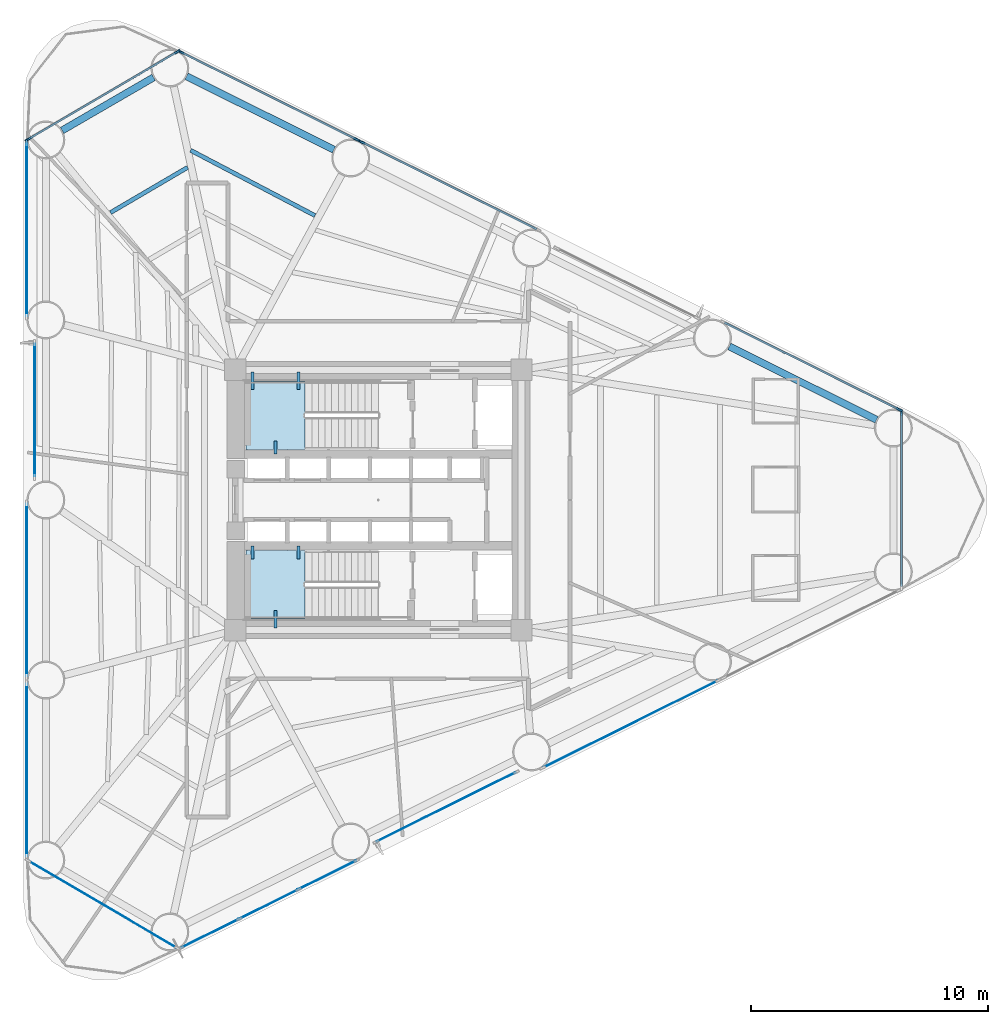
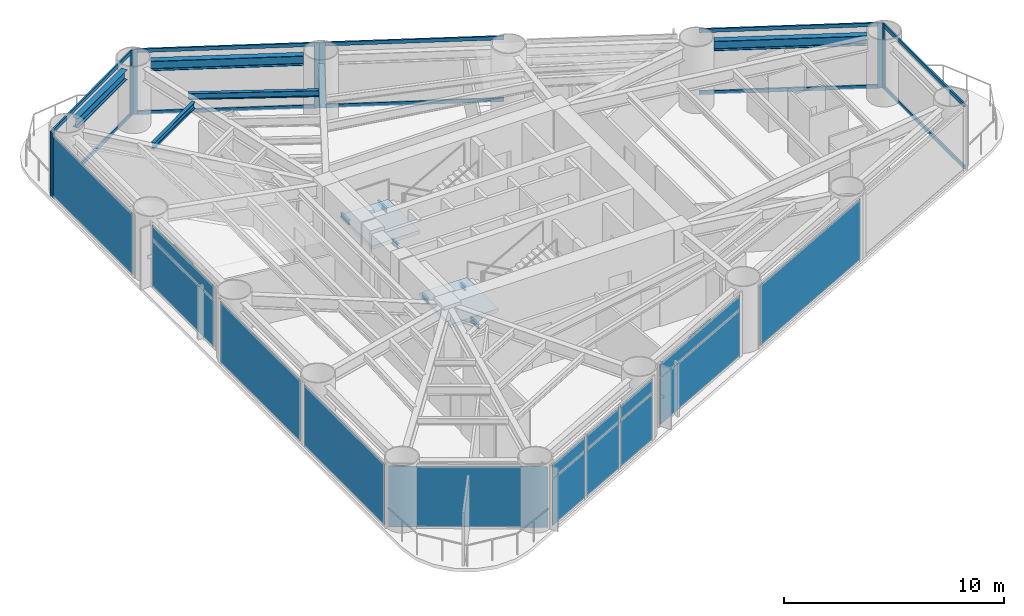
# One storey, part 4 of 10: 18 members, 17 plates, 11 beams, 2 slabs, 15 elements without a shape of their own.
"""IFC4 building model written with IfcOpenShell, lengths in metres."""

import ifcopenshell
import ifcopenshell.guid

model = None  # the IFC model being written
_history = None  # IfcOwnerHistory: only IFC2X3 demands one
_inside = {}  # id of a spatial element -> (the spatial element, [elements in it])
_under = {}  # id of a project, library or spatial element -> (it, [spatial elements below it])
_declared = {}  # id of a project -> (the project, [libraries it declares])
_typed = {}  # id of a type object -> (the type object, [elements of that type])
_made_of = {}  # id of a material, layer set ... -> (it, [elements and type objects made of it])


def new_model(schema):
    """Start an empty IFC model of exactly this schema.

    Asked for "IFC4X3", IfcOpenShell would pick the latest addendum, in which some entities
    have other attributes; the version numbers below select the first issue.
    IFC2X3 requires an IfcOwnerHistory on every rooted entity: one is made here for all.
    """
    global model, _history
    if schema == "IFC4X3":
        model = ifcopenshell.file(schema_version=(4, 3, 0, 0))
    else:
        model = ifcopenshell.file(schema=schema)
    _inside.clear()
    _under.clear()
    _declared.clear()
    _typed.clear()
    _made_of.clear()
    _history = None
    if model.schema == "IFC2X3":
        org = make("IfcOrganization", Name="unknown")
        user = make(
            "IfcPersonAndOrganization",
            ThePerson=make("IfcPerson", FamilyName="unknown"),
            TheOrganization=org,
        )
        app = make(
            "IfcApplication",
            ApplicationDeveloper=org,
            Version="unknown",
            ApplicationFullName="unknown",
            ApplicationIdentifier="unknown",
        )
        _history = make(
            "IfcOwnerHistory",
            OwningUser=user,
            OwningApplication=app,
            ChangeAction="ADDED",
            CreationDate=0,
        )
    return model


def make(cls, **values):
    """One entity of the class cls with the attributes given. An attribute that is None is left unset."""
    return model.create_entity(
        cls, **{name: value for name, value in values.items() if value is not None}
    )


def rooted(cls, **values):
    """An entity with a GlobalId (a new one), such as an element, a storey or a relation."""
    return make(cls, GlobalId=ifcopenshell.guid.new(), OwnerHistory=_history, **values)


def si_unit(unit_type, name, prefix=None):
    """IfcSIUnit, for example si_unit("LENGTHUNIT", "METRE", prefix="MILLI")."""
    return make("IfcSIUnit", UnitType=unit_type, Prefix=prefix, Name=name)


def assignment(units):
    """IfcUnitAssignment: the units of a project."""
    return None if units is None else make("IfcUnitAssignment", Units=units)


def point(xyz):
    """IfcCartesianPoint."""
    return None if xyz is None else make("IfcCartesianPoint", Coordinates=xyz)


def direction(xyz):
    """IfcDirection."""
    return None if xyz is None else make("IfcDirection", DirectionRatios=xyz)


def frame(location, z_axis=None, x_axis=None):
    """IfcAxis2Placement3D, a coordinate frame: its origin and axes. An axis left out is left unset."""
    return make(
        "IfcAxis2Placement3D",
        Location=point(location),
        Axis=direction(z_axis),
        RefDirection=direction(x_axis),
    )


def frame_2d(location, x_axis=None):
    """IfcAxis2Placement2D, a coordinate frame in the plane: its origin and x axis."""
    return make(
        "IfcAxis2Placement2D", Location=point(location), RefDirection=direction(x_axis)
    )


def origin():
    """The frame at (0, 0, 0) with its axes left unset."""
    return frame((0.0, 0.0, 0.0))


def origin_2d():
    """The frame at (0, 0) in the plane with its x axis left unset."""
    return frame_2d((0.0, 0.0))


def place(relative_to, where):
    """IfcLocalPlacement: puts the frame where relative to a parent placement (None: the world)."""
    return make(
        "IfcLocalPlacement", PlacementRelTo=relative_to, RelativePlacement=where
    )


def context(
    kind, dimensions, precision=None, world=None, true_north=None, identifier=None
):
    """IfcGeometricRepresentationContext, for example the 3D "Model" context."""
    return make(
        "IfcGeometricRepresentationContext",
        ContextIdentifier=identifier,
        ContextType=kind,
        CoordinateSpaceDimension=dimensions,
        Precision=precision,
        WorldCoordinateSystem=world,
        TrueNorth=true_north,
    )


def subcontext(parent, identifier, kind, view, scale=None):
    """IfcGeometricRepresentationSubContext, for example "Body" below "Model"."""
    return make(
        "IfcGeometricRepresentationSubContext",
        ContextIdentifier=identifier,
        ContextType=kind,
        ParentContext=parent,
        TargetScale=scale,
        TargetView=view,
    )


def project(units=None, contexts=None):
    """IfcProject with its units and contexts."""
    return rooted(
        "IfcProject",
        Name="project",
        RepresentationContexts=contexts,
        UnitsInContext=assignment(units),
    )


def spatial(cls, under=None, at=None, **own):
    """A site, building, storey or space (cls), placed at a placement, below another one or the project."""
    s = rooted(cls, ObjectPlacement=at, **own)
    if under is not None:
        _under.setdefault(under.id(), (under, []))[1].append(s)
    return s


def polyline(points):
    """IfcPolyline through the points."""
    return make("IfcPolyline", Points=[point(p) for p in points])


def profile(cls, at=None, kind="AREA", **sizes):
    """A parametric profile (cls). Its sizes go by their IFC names, for example OverallWidth=200.0."""
    return make(cls, ProfileType=kind, Position=at, **sizes)


def rectangle(**sizes):
    """IfcRectangleProfileDef."""
    return profile("IfcRectangleProfileDef", **sizes)


def i_section(**sizes):
    """IfcIShapeProfileDef."""
    return profile("IfcIShapeProfileDef", **sizes)


def outline(outer, holes=None, kind="AREA"):
    """IfcArbitraryClosedProfileDef: a profile drawn as a closed curve; with holes, ...WithVoids."""
    if holes is None:
        return make("IfcArbitraryClosedProfileDef", ProfileType=kind, OuterCurve=outer)
    return make(
        "IfcArbitraryProfileDefWithVoids",
        ProfileType=kind,
        OuterCurve=outer,
        InnerCurves=holes,
    )


def extrude(swept, where, along, depth):
    """IfcExtrudedAreaSolid: the profile swept, set in the frame where, extruded along a direction by depth."""
    return make(
        "IfcExtrudedAreaSolid",
        SweptArea=swept,
        Position=where,
        ExtrudedDirection=direction(along),
        Depth=depth,
    )


def shape(context_of_items, identifier, shape_type, items):
    """IfcShapeRepresentation: the items that make up one representation, for example the "Body"."""
    return make(
        "IfcShapeRepresentation",
        ContextOfItems=context_of_items,
        RepresentationIdentifier=identifier,
        RepresentationType=shape_type,
        Items=items,
    )


def source(mapping_origin, context_of_items, identifier, shape_type, items):
    """IfcRepresentationMap: a shape defined once, which mapped items show again and again."""
    return make(
        "IfcRepresentationMap",
        MappingOrigin=mapping_origin,
        MappedRepresentation=shape(context_of_items, identifier, shape_type, items),
    )


def transform(
    local_origin,
    x_axis=None,
    y_axis=None,
    z_axis=None,
    scale=None,
    scale2=None,
    scale3=None,
    uniform=True,
):
    """IfcCartesianTransformationOperator3D, or its non-uniform kind. x_axis, y_axis, z_axis: its Axis1, 2, 3."""
    if uniform:
        return make(
            "IfcCartesianTransformationOperator3D",
            Axis1=direction(x_axis),
            Axis2=direction(y_axis),
            LocalOrigin=point(local_origin),
            Scale=scale,
            Axis3=direction(z_axis),
        )
    return make(
        "IfcCartesianTransformationOperator3DnonUniform",
        Axis1=direction(x_axis),
        Axis2=direction(y_axis),
        LocalOrigin=point(local_origin),
        Scale=scale,
        Axis3=direction(z_axis),
        Scale2=scale2,
        Scale3=scale3,
    )


def mapped(mapping_source, mapping_target):
    """IfcMappedItem: shows the shape of a source again, moved by a transform."""
    return make(
        "IfcMappedItem", MappingSource=mapping_source, MappingTarget=mapping_target
    )


def material(Name=None, Category=None):
    """IfcMaterial."""
    return make("IfcMaterial", Name=Name, Category=Category)


def layer(
    of_material, thickness, ventilated=None, Name=None, Category=None, Priority=None
):
    """IfcMaterialLayer: one layer of a wall or slab, of a material (None: an air gap)."""
    return make(
        "IfcMaterialLayer",
        Material=of_material,
        LayerThickness=thickness,
        IsVentilated=ventilated,
        Name=Name,
        Category=Category,
        Priority=Priority,
    )


def layer_set(layers, Name=None):
    """IfcMaterialLayerSet."""
    return make("IfcMaterialLayerSet", MaterialLayers=layers, LayerSetName=Name)


def material_profile(
    of_material, cross_section, Name=None, Category=None, Priority=None
):
    """IfcMaterialProfile: a cross section and its material."""
    return make(
        "IfcMaterialProfile",
        Name=Name,
        Material=of_material,
        Profile=cross_section,
        Priority=Priority,
        Category=Category,
    )


def profile_set(profiles, Name=None, composite=None):
    """IfcMaterialProfileSet."""
    return make(
        "IfcMaterialProfileSet",
        Name=Name,
        MaterialProfiles=profiles,
        CompositeProfile=composite,
    )


def made_of(thing, what):
    """Note that an element or type object is made of a material, layer set ...; save() writes the relation."""
    if what is not None:
        _made_of.setdefault(what.id(), (what, []))[1].append(thing)
    return thing


def type_object(cls, material=None, **own):
    """A type object (cls), such as IfcWallType, which elements share."""
    return made_of(rooted(cls, **own), material)


def element(
    cls,
    number,
    at=None,
    inside=None,
    cuts=None,
    type_object=None,
    material=None,
    context=None,
    identifier="Body",
    shape_type=None,
    held_by="IfcProductDefinitionShape",
    body=None,
    shapes=None,
    **own,
):
    """One element of the class cls, such as IfcWall. Its Tag is "e" and its number.

    at: its placement. inside: the storey or other place that contains it. cuts: it is an
    opening in that element (IfcRelVoidsElement). A single representation is given by context,
    identifier, shape_type and body (its items); several are given by shapes. held_by: the class
    of the entity that holds the representations. save() writes the other relations.
    """
    e = rooted(cls, Tag="e%d" % number, ObjectPlacement=at, **own)
    if body is not None:
        shapes = [shape(context, identifier, shape_type, body)]
    if shapes is not None:
        e.Representation = make(held_by, Representations=shapes)
    if inside is not None:
        _inside.setdefault(inside.id(), (inside, []))[1].append(e)
    if cuts is not None:
        rooted(
            "IfcRelVoidsElement", RelatingBuildingElement=cuts, RelatedOpeningElement=e
        )
    if type_object is not None:
        _typed.setdefault(type_object.id(), (type_object, []))[1].append(e)
    return made_of(e, material)


def aggregate(whole, parts):
    """IfcRelAggregates: a whole, such as a stair, and the parts it consists of."""
    return rooted("IfcRelAggregates", RelatingObject=whole, RelatedObjects=parts)


def save(model, path):
    """Write the relations noted so far, then the file.

    IfcRelAggregates (storeys below a building ...), IfcRelContainedInSpatialStructure (elements
    in a storey), IfcRelDefinesByType, IfcRelAssociatesMaterial and IfcRelDeclares: one each for
    every whole, place, type object, material and project.
    """
    for whole, parts in _under.values():
        aggregate(whole, parts)
    for where, things in _inside.values():
        rooted(
            "IfcRelContainedInSpatialStructure",
            RelatedElements=things,
            RelatingStructure=where,
        )
    for kind, things in _typed.values():
        rooted("IfcRelDefinesByType", RelatedObjects=things, RelatingType=kind)
    for what, things in _made_of.values():
        rooted("IfcRelAssociatesMaterial", RelatedObjects=things, RelatingMaterial=what)
    for by, libraries in _declared.values():
        rooted("IfcRelDeclares", RelatingContext=by, RelatedDefinitions=libraries)
    model.write(path)


model = new_model("IFC4")

# Units and contexts
model_context = context("Model", 3, precision=1e-05, world=origin(), true_north=direction((0.0, 1.0)))
body_context = subcontext(model_context, "Body", "Model", "MODEL_VIEW")
ifc_project = project(units=[si_unit("LENGTHUNIT", "METRE"), si_unit("AREAUNIT", "SQUARE_METRE"), si_unit("VOLUMEUNIT", "CUBIC_METRE"), si_unit("PLANEANGLEUNIT", "RADIAN"), si_unit("MASSUNIT", "GRAM", prefix="KILO")], contexts=[model_context])

# Site, building, storey
site_placement = place(None, origin())
site = spatial("IfcSite", under=ifc_project, at=site_placement, CompositionType="ELEMENT")
building_placement = place(site_placement, origin())
building = spatial("IfcBuilding", under=site, at=building_placement, Name="Yunling Apex Tower", CompositionType="ELEMENT")
storey_placement = place(building_placement, frame((0.0, 0.0, 31.199951171875)))
storey = spatial("IfcBuildingStorey", under=building, at=storey_placement, Name="L09", CompositionType="ELEMENT", Elevation=31.199951171875)

# Beams
ifc_material_1 = material(Name="Steel Q355B", Category="steel")
ifc_material_profile_1 = material_profile(ifc_material_1, i_section(OverallWidth=0.125, OverallDepth=0.25, WebThickness=0.006103515625, FlangeThickness=0.009033203125, FilletRadius=0.011962890625, at=origin_2d()))
ifc_profile_set_1 = profile_set([ifc_material_profile_1], Name="Steel Q355B")
beam_type_1 = type_object("IfcBeamType", Name="BL-LNT-1", PredefinedType="LINTEL", material=ifc_profile_set_1)
shared_shape_1 = source(origin(), body_context, "Body", "SweptSolid", [
    extrude(i_section(OverallWidth=0.125, OverallDepth=0.25, WebThickness=0.006103515625, FlangeThickness=0.009033203125, FilletRadius=0.011962890625, at=origin_2d()), origin(), (0.0, 0.0, 1.0), 0.760009765625),
])
for number, where, z_axis, x_axis, name in (
    (1, (-5.320068359375, 5.419921875, 1.530029296875), (0.0, -1.0, 0.0), (1.0, 0.0, 0.0), "L09 ST-1 Landing Bearing Corbel 1-1"),
    (2, (-3.3701171875, 5.419921875, 1.530029296875), (0.0, -1.0, 0.0), (1.0, 0.0, 0.0), "L09 ST-1 Landing Bearing Corbel 1-2"),
    (3, (-4.344970703125, -5.419921875, 1.530029296875), (0.0, 1.0, 0.0), (-1.0, 0.0, 0.0), "L09 ST-2 Landing Bearing Corbel 1-3"),
):
    element("IfcBeam", number, at=place(storey_placement, frame(where, z_axis=z_axis, x_axis=x_axis)), inside=storey, type_object=beam_type_1, Name=name, PredefinedType="LINTEL", context=body_context, shape_type="MappedRepresentation", body=[
        mapped(shared_shape_1, transform((0.0, 0.0, 0.0), scale=1.0)),
    ])
shared_shape_2 = source(origin(), body_context, "Body", "SweptSolid", [
    extrude(i_section(OverallWidth=0.125, OverallDepth=0.25, WebThickness=0.006103515625, FlangeThickness=0.009033203125, FilletRadius=0.011962890625, at=origin_2d()), origin(), (0.0, 0.0, 1.0), 0.550048828125),
])
for number, where, z_axis, x_axis, name in (
    (4, (-4.344970703125, 1.93994140625, 1.530029296875), (0.0, 1.0, 0.0), (-1.0, 0.0, 0.0), "L09 ST-1 Landing Bearing Corbel 1-3"),
    (5, (-5.320068359375, -1.93994140625, 1.530029296875), (0.0, -1.0, 0.0), (1.0, 0.0, 0.0), "L09 ST-2 Landing Bearing Corbel 1-1"),
    (6, (-3.3701171875, -1.93994140625, 1.530029296875), (0.0, -1.0, 0.0), (1.0, 0.0, 0.0), "L09 ST-2 Landing Bearing Corbel 1-2"),
):
    element("IfcBeam", number, at=place(storey_placement, frame(where, z_axis=z_axis, x_axis=x_axis)), inside=storey, type_object=beam_type_1, Name=name, PredefinedType="LINTEL", context=body_context, shape_type="MappedRepresentation", body=[
        mapped(shared_shape_2, transform((0.0, 0.0, 0.0), scale=1.0)),
    ])
ifc_material_profile_2 = material_profile(ifc_material_1, i_section(OverallWidth=0.300048828125, OverallDepth=0.5400390625, WebThickness=0.011962890625, FlangeThickness=0.02001953125, FilletRadius=0.02392578125, at=origin_2d()))
ifc_profile_set_2 = profile_set([ifc_material_profile_2], Name="Steel Q355B")
beam_type_2 = type_object("IfcBeamType", Name="BP-SPN-1", PredefinedType="SPANDREL", material=ifc_profile_set_2)
shared_shape_3 = source(origin(), body_context, "Body", "SweptSolid", [
    extrude(i_section(OverallWidth=0.300048828125, OverallDepth=0.5400390625, WebThickness=0.011962890625, FlangeThickness=0.02001953125, FilletRadius=0.02392578125, at=origin_2d()), origin(), (0.0, 0.0, 1.0), 6.950927734375),
])
for number, where, z_axis, x_axis, name in (
    (7, (21.055419921875, 3.392578125, 3.2451171875), (-0.895247556401, 0.445569088646, 0.0), (-0.445569088646, -0.895247556401, 0.0), "L09 Perimeter Spandrel Beam 6"),
    (8, (-1.8779296875, 14.806884765625, 3.2451171875), (-0.89524058306, 0.445583099368, 0.0), (-0.445583099368, -0.89524058306, 0.0), "L09 Perimeter Spandrel Beam 9"),
):
    element("IfcBeam", number, at=place(storey_placement, frame(where, z_axis=z_axis, x_axis=x_axis)), inside=storey, type_object=beam_type_2, Name=name, PredefinedType="SPANDREL", context=body_context, shape_type="MappedRepresentation", body=[
        mapped(shared_shape_3, transform((0.0, 0.0, 0.0), scale=1.0)),
    ])
shared_shape_4 = source(origin(), body_context, "Body", "SweptSolid", [
    extrude(i_section(OverallWidth=0.300048828125, OverallDepth=0.5400390625, WebThickness=0.011962890625, FlangeThickness=0.02001953125, FilletRadius=0.02392578125, at=origin_2d()), origin(), (0.0, 0.0, 1.0), 4.469970703125),
])
beam_1_placement = place(storey_placement, frame((-9.498291015625, 17.859619140625, 3.2451171875), z_axis=(-0.865055841155, -0.501675584102, 0.0), x_axis=(0.501675584102, -0.865055841155, 0.0)))
element("IfcBeam", 9, at=beam_1_placement, inside=storey, type_object=beam_type_2, Name="L09 Perimeter Spandrel Beam 10", PredefinedType="SPANDREL", context=body_context, shape_type="MappedRepresentation", body=[
    mapped(shared_shape_4, transform((0.0, 0.0, 0.0), scale=1.0)),
])
ifc_material_profile_3 = material_profile(ifc_material_1, i_section(OverallWidth=0.175048828125, OverallDepth=0.35009765625, WebThickness=0.007080078125, FlangeThickness=0.010986328125, FilletRadius=0.013916015625, at=origin_2d()))
ifc_profile_set_3 = profile_set([ifc_material_profile_3], Name="Steel Q355B")
beam_type_3 = type_object("IfcBeamType", Name="BJ-JST-1", PredefinedType="JOIST", material=ifc_profile_set_3)
shared_shape_5 = source(origin(), body_context, "Body", "SweptSolid", [
    extrude(i_section(OverallWidth=0.175048828125, OverallDepth=0.35009765625, WebThickness=0.007080078125, FlangeThickness=0.010986328125, FilletRadius=0.013916015625, at=origin_2d()), origin(), (0.0, 0.0, 1.0), 5.935791015625),
])
beam_2_placement = place(storey_placement, frame((-2.676513671875, 12.02001953125, 3.340087890625), z_axis=(-0.885494794786, 0.464649296144, 0.0), x_axis=(-0.464649296144, -0.885494794786, 0.0)))
element("IfcBeam", 10, at=beam_2_placement, inside=storey, type_object=beam_type_3, Name="L09 Composite Floor Joist BJ1-9", PredefinedType="JOIST", context=body_context, shape_type="MappedRepresentation", body=[
    mapped(shared_shape_5, transform((0.0, 0.0, 0.0), scale=1.0)),
])
shared_shape_6 = source(origin(), body_context, "Body", "SweptSolid", [
    extrude(i_section(OverallWidth=0.175048828125, OverallDepth=0.35009765625, WebThickness=0.007080078125, FlangeThickness=0.010986328125, FilletRadius=0.013916015625, at=origin_2d()), origin(), (0.0, 0.0, 1.0), 3.77880859375),
])
beam_3_placement = place(storey_placement, frame((-8.05810546875, 14.05810546875, 3.340087890625), z_axis=(-0.862642562353, -0.50581400694, 0.0), x_axis=(0.50581400694, -0.862642562353, 0.0)))
element("IfcBeam", 11, at=beam_3_placement, inside=storey, type_object=beam_type_3, Name="L09 Composite Floor Joist BJ1-10", PredefinedType="JOIST", context=body_context, shape_type="MappedRepresentation", body=[
    mapped(shared_shape_6, transform((0.0, 0.0, 0.0), scale=1.0)),
])

# Curtain wall, member
ifc_material_2 = material(Name="Bronze anodised aluminium", Category="aluminium")
ifc_layer_1 = layer(ifc_material_2, 0.260009765625)
ifc_layer_set_1 = layer_set([ifc_layer_1], Name="Bronze anodised aluminium")
curtain_wall_type = type_object("IfcCurtainWallType", Name="CW-SYS-2", PredefinedType="NOTDEFINED", material=ifc_layer_set_1)
curtain_wall_1_placement = place(storey_placement, origin())
curtain_wall_1 = element("IfcCurtainWall", 12, at=curtain_wall_1_placement, inside=storey, type_object=curtain_wall_type, Name="CW-L09-CRN1", PredefinedType="NOTDEFINED")
ifc_material_profile_4 = material_profile(ifc_material_2, rectangle(XDim=0.0849609375, YDim=0.260009765625, at=origin_2d()))
ifc_profile_set_4 = profile_set([ifc_material_profile_4], Name="Bronze anodised aluminium")
member_type_1 = type_object("IfcMemberType", Name="CW-MUL-2", PredefinedType="MULLION", material=ifc_profile_set_4)
shared_shape_7 = source(origin(), body_context, "Body", "SweptSolid", [
    extrude(rectangle(XDim=0.0849609375, YDim=0.260009765625, at=origin_2d()), origin(), (0.0, 0.0, 1.0), 3.614990234375),
])
member_1_placement = place(storey_placement, frame((22.1181640625, 3.70361328125, -0.050048828125), z_axis=(0.0, 0.0, 1.0), x_axis=(-1.0, 0.0, 0.0)))
member_1 = element("IfcMember", 13, at=member_1_placement, type_object=member_type_1, Name="CW-SYS-2 mullion 2", PredefinedType="MULLION", context=body_context, shape_type="MappedRepresentation", body=[
    mapped(shared_shape_7, transform((0.0, 0.0, 0.0), scale=1.0)),
])

curtain_wall_2_placement = place(storey_placement, origin())
curtain_wall_2 = element("IfcCurtainWall", 14, at=curtain_wall_2_placement, inside=storey, type_object=curtain_wall_type, Name="CW-L09-F2-B1", PredefinedType="NOTDEFINED")
member_2_placement = place(storey_placement, frame((22.017333984375, 3.818603515625, -0.050048828125), z_axis=(0.0, 0.0, 1.0), x_axis=(-0.445580190214, -0.895242031011, 0.0)))
member_2 = element("IfcMember", 15, at=member_2_placement, type_object=member_type_1, Name="CW-SYS-2 mullion 1", PredefinedType="MULLION", context=body_context, shape_type="MappedRepresentation", body=[
    mapped(shared_shape_7, transform((0.0, 0.0, 0.0), scale=1.0)),
])

curtain_wall_3_placement = place(storey_placement, origin())
curtain_wall_3 = element("IfcCurtainWall", 16, at=curtain_wall_3_placement, inside=storey, type_object=curtain_wall_type, Name="CW-L09-F2-B3", PredefinedType="NOTDEFINED")
member_3_placement = place(storey_placement, frame((-0.696533203125, 15.123779296875, -0.050048828125), z_axis=(0.0, 0.0, 1.0), x_axis=(-0.445580190214, -0.895242031011, 0.0)))
member_3 = element("IfcMember", 17, at=member_3_placement, type_object=member_type_1, Name="CW-SYS-2 mullion 2", PredefinedType="MULLION", context=body_context, shape_type="MappedRepresentation", body=[
    mapped(shared_shape_7, transform((0.0, 0.0, 0.0), scale=1.0)),
])

# Curtain wall, members
curtain_wall_4_placement = place(storey_placement, origin())
curtain_wall_4 = element("IfcCurtainWall", 18, at=curtain_wall_4_placement, inside=storey, type_object=curtain_wall_type, Name="CW-L09-F2-B4", PredefinedType="NOTDEFINED")
member_4_placement = place(storey_placement, frame((-0.915771484375, 15.23291015625, -0.050048828125), z_axis=(0.0, 0.0, 1.0), x_axis=(-0.445570625003, -0.895246791748, 0.0)))
member_4 = element("IfcMember", 19, at=member_4_placement, type_object=member_type_1, Name="CW-SYS-2 mullion 1", PredefinedType="MULLION", context=body_context, shape_type="MappedRepresentation", body=[
    mapped(shared_shape_7, transform((0.0, 0.0, 0.0), scale=1.0)),
])
member_5_placement = place(storey_placement, frame((-8.341064453125, 18.928466796875, -0.050048828125), z_axis=(0.0, 0.0, 1.0), x_axis=(-0.445570625003, -0.895246791748, 0.0)))
member_5 = element("IfcMember", 20, at=member_5_placement, type_object=member_type_1, Name="CW-SYS-2 mullion 2", PredefinedType="MULLION", context=body_context, shape_type="MappedRepresentation", body=[
    mapped(shared_shape_7, transform((0.0, 0.0, 0.0), scale=1.0)),
])

curtain_wall_5_placement = place(storey_placement, origin())
curtain_wall_5 = element("IfcCurtainWall", 21, at=curtain_wall_5_placement, inside=storey, type_object=curtain_wall_type, Name="CW-L09-CRN2", PredefinedType="NOTDEFINED")
member_6_placement = place(storey_placement, frame((-8.49609375, 18.943603515625, -0.050048828125), z_axis=(0.0, 0.0, 1.0), x_axis=(0.506195543811, -0.86241873323, 0.0)))
member_6 = element("IfcMember", 22, at=member_6_placement, type_object=member_type_1, Name="CW-SYS-2 mullion 1", PredefinedType="MULLION", context=body_context, shape_type="MappedRepresentation", body=[
    mapped(shared_shape_7, transform((0.0, 0.0, 0.0), scale=1.0)),
])
member_7_placement = place(storey_placement, frame((-14.805419921875, 15.240478515625, -0.050048828125), z_axis=(0.0, 0.0, 1.0), x_axis=(0.506195543811, -0.86241873323, 0.0)))
member_7 = element("IfcMember", 23, at=member_7_placement, type_object=member_type_1, Name="CW-SYS-2 mullion 2", PredefinedType="MULLION", context=body_context, shape_type="MappedRepresentation", body=[
    mapped(shared_shape_7, transform((0.0, 0.0, 0.0), scale=1.0)),
])

# Curtain wall, member
curtain_wall_6_placement = place(storey_placement, origin())
curtain_wall_6 = element("IfcCurtainWall", 24, at=curtain_wall_6_placement, inside=storey, type_object=curtain_wall_type, Name="CW-L09-F3-B1", PredefinedType="NOTDEFINED")
member_8_placement = place(storey_placement, frame((-14.862060546875, 15.096435546875, -0.050048828125), z_axis=(0.0, 0.0, 1.0), x_axis=(1.0, 0.0, 0.0)))
member_8 = element("IfcMember", 25, at=member_8_placement, type_object=member_type_1, Name="CW-SYS-2 mullion 1", PredefinedType="MULLION", context=body_context, shape_type="MappedRepresentation", body=[
    mapped(shared_shape_7, transform((0.0, 0.0, 0.0), scale=1.0)),
])

# Member
ifc_material_profile_5 = material_profile(ifc_material_2, rectangle(XDim=0.0849609375, YDim=0.199951171875, at=origin_2d()))
ifc_profile_set_5 = profile_set([ifc_material_profile_5], Name="Bronze anodised aluminium")
member_type_2 = type_object("IfcMemberType", Name="CW-TRN-2", PredefinedType="USERDEFINED", material=ifc_profile_set_5)
shared_shape_8 = source(origin(), body_context, "Body", "SweptSolid", [
    extrude(rectangle(XDim=0.0849609375, YDim=0.199951171875, at=origin_2d()), origin(), (0.0, 0.0, 1.0), 8.217529296875),
])
member_9_placement = place(storey_placement, frame((6.6943359375, 11.445068359375, 0.04248046875), z_axis=(-0.895239752613, 0.445584767852, 0.0), x_axis=(-0.445584767852, -0.895239752613, 0.0)))
member_9 = element("IfcMember", 26, at=member_9_placement, type_object=member_type_2, Name="CW-SYS-2 transom 1.1", ObjectType="TRANSOM", PredefinedType="USERDEFINED", context=body_context, shape_type="MappedRepresentation", body=[
    mapped(shared_shape_8, transform((0.0, 0.0, 0.0), scale=1.0)),
])

member_10_placement = place(storey_placement, frame((6.6943359375, 11.445068359375, 3.47265625), z_axis=(-0.895239752613, 0.445584767852, 0.0), x_axis=(-0.445584767852, -0.895239752613, 0.0)))
member_10 = element("IfcMember", 27, at=member_10_placement, type_object=member_type_2, Name="CW-SYS-2 transom 1.2", ObjectType="TRANSOM", PredefinedType="USERDEFINED", context=body_context, shape_type="MappedRepresentation", body=[
    mapped(shared_shape_8, transform((0.0, 0.0, 0.0), scale=1.0)),
])

aggregate(curtain_wall_3, [member_3, member_9, member_10])

shared_shape_9 = source(origin(), body_context, "Body", "SweptSolid", [
    extrude(rectangle(XDim=0.0849609375, YDim=0.199951171875, at=origin_2d()), origin(), (0.0, 0.0, 1.0), 8.21728515625),
])
member_11_placement = place(storey_placement, frame((21.983154296875, 3.835693359375, 0.04248046875), z_axis=(-0.895245705371, 0.445572807761, 0.0), x_axis=(-0.445572807761, -0.895245705371, 0.0)))
member_11 = element("IfcMember", 28, at=member_11_placement, type_object=member_type_2, Name="CW-SYS-2 transom 1.1", ObjectType="TRANSOM", PredefinedType="USERDEFINED", context=body_context, shape_type="MappedRepresentation", body=[
    mapped(shared_shape_9, transform((0.0, 0.0, 0.0), scale=1.0)),
])

member_12_placement = place(storey_placement, frame((21.983154296875, 3.835693359375, 3.47265625), z_axis=(-0.895245705371, 0.445572807761, 0.0), x_axis=(-0.445572807761, -0.895245705371, 0.0)))
member_12 = element("IfcMember", 29, at=member_12_placement, type_object=member_type_2, Name="CW-SYS-2 transom 1.2", ObjectType="TRANSOM", PredefinedType="USERDEFINED", context=body_context, shape_type="MappedRepresentation", body=[
    mapped(shared_shape_9, transform((0.0, 0.0, 0.0), scale=1.0)),
])

aggregate(curtain_wall_2, [member_2, member_11, member_12])

member_13_placement = place(storey_placement, frame((-0.9501953125, 15.25, 0.04248046875), z_axis=(-0.895245705371, 0.445572807761, 0.0), x_axis=(-0.445572807761, -0.895245705371, 0.0)))
member_13 = element("IfcMember", 30, at=member_13_placement, type_object=member_type_2, Name="CW-SYS-2 transom 1.1", ObjectType="TRANSOM", PredefinedType="USERDEFINED", context=body_context, shape_type="MappedRepresentation", body=[
    mapped(shared_shape_9, transform((0.0, 0.0, 0.0), scale=1.0)),
])

member_14_placement = place(storey_placement, frame((-0.9501953125, 15.25, 3.47265625), z_axis=(-0.895245705371, 0.445572807761, 0.0), x_axis=(-0.445572807761, -0.895245705371, 0.0)))
member_14 = element("IfcMember", 31, at=member_14_placement, type_object=member_type_2, Name="CW-SYS-2 transom 1.2", ObjectType="TRANSOM", PredefinedType="USERDEFINED", context=body_context, shape_type="MappedRepresentation", body=[
    mapped(shared_shape_9, transform((0.0, 0.0, 0.0), scale=1.0)),
])

aggregate(curtain_wall_4, [member_4, member_5, member_13, member_14])

shared_shape_10 = source(origin(), body_context, "Body", "SweptSolid", [
    extrude(rectangle(XDim=0.0849609375, YDim=0.199951171875, at=origin_2d()), origin(), (0.0, 0.0, 1.0), 7.33056640625),
])
member_15_placement = place(storey_placement, frame((22.1181640625, -3.665283203125, 0.04248046875), z_axis=(0.0, 1.0, 0.0), x_axis=(-1.0, 0.0, 0.0)))
member_15 = element("IfcMember", 32, at=member_15_placement, type_object=member_type_2, Name="CW-SYS-2 transom 1.1", ObjectType="TRANSOM", PredefinedType="USERDEFINED", context=body_context, shape_type="MappedRepresentation", body=[
    mapped(shared_shape_10, transform((0.0, 0.0, 0.0), scale=1.0)),
])

member_16_placement = place(storey_placement, frame((22.1181640625, -3.665283203125, 3.47265625), z_axis=(0.0, 1.0, 0.0), x_axis=(-1.0, 0.0, 0.0)))
member_16 = element("IfcMember", 33, at=member_16_placement, type_object=member_type_2, Name="CW-SYS-2 transom 1.2", ObjectType="TRANSOM", PredefinedType="USERDEFINED", context=body_context, shape_type="MappedRepresentation", body=[
    mapped(shared_shape_10, transform((0.0, 0.0, 0.0), scale=1.0)),
])

aggregate(curtain_wall_1, [member_1, member_15, member_16])

shared_shape_11 = source(origin(), body_context, "Body", "SweptSolid", [
    extrude(rectangle(XDim=0.0849609375, YDim=0.199951171875, at=origin_2d()), origin(), (0.0, 0.0, 1.0), 7.239501953125),
])
member_17_placement = place(storey_placement, frame((-8.529052734375, 18.92431640625, 0.04248046875), z_axis=(-0.862419304353, -0.506194570772, 0.0), x_axis=(0.506194570772, -0.862419304353, 0.0)))
member_17 = element("IfcMember", 34, at=member_17_placement, type_object=member_type_2, Name="CW-SYS-2 transom 1.1", ObjectType="TRANSOM", PredefinedType="USERDEFINED", context=body_context, shape_type="MappedRepresentation", body=[
    mapped(shared_shape_11, transform((0.0, 0.0, 0.0), scale=1.0)),
])

member_18_placement = place(storey_placement, frame((-8.529052734375, 18.92431640625, 3.47265625), z_axis=(-0.862419304353, -0.506194570772, 0.0), x_axis=(0.506194570772, -0.862419304353, 0.0)))
member_18 = element("IfcMember", 35, at=member_18_placement, type_object=member_type_2, Name="CW-SYS-2 transom 1.2", ObjectType="TRANSOM", PredefinedType="USERDEFINED", context=body_context, shape_type="MappedRepresentation", body=[
    mapped(shared_shape_11, transform((0.0, 0.0, 0.0), scale=1.0)),
])

aggregate(curtain_wall_5, [member_6, member_7, member_17, member_18])

# Stair, slab
ifc_material_3 = material(Name="Concrete C40", Category="concrete")
stair_type = type_object("IfcStairType", Name="ST-TWR-1", PredefinedType="HALF_TURN_STAIR", material=ifc_material_3)
stair_1_placement = place(storey_placement, origin())
stair_1 = element("IfcStair", 36, at=stair_1_placement, inside=storey, type_object=stair_type, Name="L09 North Core Smokeproof Exit Stair ST-1", PredefinedType="HALF_TURN_STAIR")
ifc_layer_2 = layer(ifc_material_3, 0.195068359375)
ifc_layer_set_2 = layer_set([ifc_layer_2], Name="Concrete C40")
slab_type = type_object("IfcSlabType", Name="SL-LND-1", PredefinedType="LANDING", material=ifc_layer_set_2)
slab_1_placement = place(storey_placement, frame((0.0, 0.0, 1.655029296875)))
slab_1 = element("IfcSlab", 37, at=slab_1_placement, type_object=slab_type, Name="ST-1 landing 1", PredefinedType="LANDING", context=body_context, shape_type="SweptSolid", body=[
    extrude(outline(polyline([(-3.090087890625, 5.010009765625), (-5.60009765625, 5.010009765625), (-5.60009765625, 2.139892578125), (-3.090087890625, 2.139892578125), (-3.090087890625, 5.010009765625)])), origin(), (0.0, 0.0, 1.0), 0.195068359375),
])
aggregate(stair_1, [slab_1])

stair_2_placement = place(storey_placement, origin())
stair_2 = element("IfcStair", 38, at=stair_2_placement, inside=storey, type_object=stair_type, Name="L09 South Core Smokeproof Exit Stair ST-2", PredefinedType="HALF_TURN_STAIR")
slab_2_placement = place(storey_placement, frame((0.0, 0.0, 1.655029296875)))
slab_2 = element("IfcSlab", 39, at=slab_2_placement, type_object=slab_type, Name="ST-2 landing 1", PredefinedType="LANDING", context=body_context, shape_type="SweptSolid", body=[
    extrude(outline(polyline([(-3.090087890625, -2.139892578125), (-5.60009765625, -2.139892578125), (-5.60009765625, -5.010009765625), (-3.090087890625, -5.010009765625), (-3.090087890625, -2.139892578125)])), origin(), (0.0, 0.0, 1.0), 0.195068359375),
])
aggregate(stair_2, [slab_2])

# Curtain wall, plates
curtain_wall_7_placement = place(storey_placement, origin())
curtain_wall_7 = element("IfcCurtainWall", 40, at=curtain_wall_7_placement, inside=storey, type_object=curtain_wall_type, Name="CW-L09-F1-B1", PredefinedType="NOTDEFINED")
ifc_material_4 = material(Name="Bronze tinted low-E glass", Category="glass")
ifc_layer_3 = layer(ifc_material_4, 0.033935546875)
ifc_layer_set_3 = layer_set([ifc_layer_3], Name="Bronze tinted low-E glass")
plate_type_1 = type_object("IfcPlateType", Name="CW-PNL-2", PredefinedType="CURTAIN_PANEL", material=ifc_layer_set_3)
shared_shape_12 = source(origin(), body_context, "Body", "SweptSolid", [
    extrude(rectangle(XDim=2.681884765625, YDim=0.033935546875, at=origin_2d()), origin(), (0.0, 0.0, 1.0), 2.560302734375),
])
plate_1_placement = place(storey_placement, frame((-7.10986328125, -18.315673828125, 0.07666015625), z_axis=(0.0, 0.0, 1.0), x_axis=(0.895246791748, 0.445570625003, 0.0)))
plate_1 = element("IfcPlate", 41, at=plate_1_placement, type_object=plate_type_1, Name="CW-SYS-2 panel 1.1", PredefinedType="CURTAIN_PANEL", context=body_context, shape_type="MappedRepresentation", body=[
    mapped(shared_shape_12, transform((0.0, 0.0, 0.0), scale=1.0)),
])
plate_2_placement = place(storey_placement, frame((-2.14697265625, -15.845703125, 0.07666015625), z_axis=(0.0, 0.0, 1.0), x_axis=(0.895246791748, 0.445570625003, 0.0)))
plate_2 = element("IfcPlate", 42, at=plate_2_placement, type_object=plate_type_1, Name="CW-SYS-2 panel 3.1", PredefinedType="CURTAIN_PANEL", context=body_context, shape_type="MappedRepresentation", body=[
    mapped(shared_shape_12, transform((0.0, 0.0, 0.0), scale=1.0)),
])
shared_shape_13 = source(origin(), body_context, "Body", "SweptSolid", [
    extrude(rectangle(XDim=2.681884765625, YDim=0.033935546875, at=origin_2d()), origin(), (0.0, 0.0, 1.0), 0.732666015625),
])
plate_3_placement = place(storey_placement, frame((-7.10986328125, -18.315673828125, 2.70556640625), z_axis=(0.0, 0.0, 1.0), x_axis=(0.895246791748, 0.445570625003, 0.0)))
plate_3 = element("IfcPlate", 43, at=plate_3_placement, type_object=plate_type_1, Name="CW-SYS-2 panel 1.2", PredefinedType="CURTAIN_PANEL", context=body_context, shape_type="MappedRepresentation", body=[
    mapped(shared_shape_13, transform((0.0, 0.0, 0.0), scale=1.0)),
])
plate_4_placement = place(storey_placement, frame((-2.14697265625, -15.845703125, 2.70556640625), z_axis=(0.0, 0.0, 1.0), x_axis=(0.895246791748, 0.445570625003, 0.0)))
plate_4 = element("IfcPlate", 44, at=plate_4_placement, type_object=plate_type_1, Name="CW-SYS-2 panel 3.2", PredefinedType="CURTAIN_PANEL", context=body_context, shape_type="MappedRepresentation", body=[
    mapped(shared_shape_13, transform((0.0, 0.0, 0.0), scale=1.0)),
])
shared_shape_14 = source(origin(), body_context, "Body", "SweptSolid", [
    extrude(rectangle(XDim=2.724365234375, YDim=0.033935546875, at=origin_2d()), origin(), (0.0, 0.0, 1.0), 2.560302734375),
])
plate_5_placement = place(storey_placement, frame((-4.62841796875, -17.08056640625, 0.07666015625), z_axis=(0.0, 0.0, 1.0), x_axis=(0.895246791748, 0.445570625003, 0.0)))
plate_5 = element("IfcPlate", 45, at=plate_5_placement, type_object=plate_type_1, Name="CW-SYS-2 panel 2.1", PredefinedType="CURTAIN_PANEL", context=body_context, shape_type="MappedRepresentation", body=[
    mapped(shared_shape_14, transform((0.0, 0.0, 0.0), scale=1.0)),
])
shared_shape_15 = source(origin(), body_context, "Body", "SweptSolid", [
    extrude(rectangle(XDim=2.724365234375, YDim=0.033935546875, at=origin_2d()), origin(), (0.0, 0.0, 1.0), 0.732666015625),
])
plate_6_placement = place(storey_placement, frame((-4.62841796875, -17.08056640625, 2.70556640625), z_axis=(0.0, 0.0, 1.0), x_axis=(0.895246791748, 0.445570625003, 0.0)))
plate_6 = element("IfcPlate", 46, at=plate_6_placement, type_object=plate_type_1, Name="CW-SYS-2 panel 2.2", PredefinedType="CURTAIN_PANEL", context=body_context, shape_type="MappedRepresentation", body=[
    mapped(shared_shape_15, transform((0.0, 0.0, 0.0), scale=1.0)),
])
aggregate(curtain_wall_7, [plate_1, plate_3, plate_5, plate_6, plate_2, plate_4])

# Curtain wall, plate
curtain_wall_8_placement = place(storey_placement, origin())
curtain_wall_8 = element("IfcCurtainWall", 47, at=curtain_wall_8_placement, inside=storey, type_object=curtain_wall_type, Name="CW-L09-F1-B3", PredefinedType="NOTDEFINED")
shared_shape_16 = source(origin(), body_context, "Body", "SweptSolid", [
    extrude(rectangle(XDim=8.225341796875, YDim=0.033935546875, at=origin_2d()), origin(), (0.0, 0.0, 1.0), 3.361572265625),
])
plate_7_placement = place(storey_placement, frame((10.660400390625, -9.47119140625, 0.07666015625), z_axis=(0.0, 0.0, 1.0), x_axis=(0.895246791748, 0.445570625003, 0.0)))
plate_7 = element("IfcPlate", 48, at=plate_7_placement, type_object=plate_type_1, Name="CW-SYS-2 panel 1.1", PredefinedType="CURTAIN_PANEL", context=body_context, shape_type="MappedRepresentation", body=[
    mapped(shared_shape_16, transform((0.0, 0.0, 0.0), scale=1.0)),
])
aggregate(curtain_wall_8, [plate_7])

curtain_wall_9_placement = place(storey_placement, origin())
curtain_wall_9 = element("IfcCurtainWall", 49, at=curtain_wall_9_placement, inside=storey, type_object=curtain_wall_type, Name="CW-L09-CRN3", PredefinedType="NOTDEFINED")
shared_shape_17 = source(origin(), body_context, "Body", "SweptSolid", [
    extrude(rectangle(XDim=7.247314453125, YDim=0.033935546875, at=origin_2d()), origin(), (0.0, 0.0, 1.0), 3.361572265625),
])
plate_8_placement = place(storey_placement, frame((-11.650634765625, -17.092041015625, 0.07666015625), z_axis=(0.0, 0.0, 1.0), x_axis=(0.86241873323, -0.506195543811, 0.0)))
plate_8 = element("IfcPlate", 50, at=plate_8_placement, type_object=plate_type_1, Name="CW-SYS-2 panel 1.1", PredefinedType="CURTAIN_PANEL", context=body_context, shape_type="MappedRepresentation", body=[
    mapped(shared_shape_17, transform((0.0, 0.0, 0.0), scale=1.0)),
])
aggregate(curtain_wall_9, [plate_8])

# Plate
shared_shape_18 = source(origin(), body_context, "Body", "SweptSolid", [
    extrude(rectangle(XDim=7.2958984375, YDim=0.033935546875, at=origin_2d()), origin(), (0.0, 0.0, 1.0), 3.361572265625),
])
plate_9_placement = place(storey_placement, frame((-14.862060546875, 11.414306640625, 0.07666015625), z_axis=(0.0, 0.0, 1.0), x_axis=(0.0, -1.0, 0.0)))
plate_9 = element("IfcPlate", 51, at=plate_9_placement, type_object=plate_type_1, Name="CW-SYS-2 panel 1.1", PredefinedType="CURTAIN_PANEL", context=body_context, shape_type="MappedRepresentation", body=[
    mapped(shared_shape_18, transform((0.0, 0.0, 0.0), scale=1.0)),
])

aggregate(curtain_wall_6, [member_8, plate_9])

# Curtain wall, plate
curtain_wall_10_placement = place(storey_placement, origin())
curtain_wall_10 = element("IfcCurtainWall", 52, at=curtain_wall_10_placement, inside=storey, type_object=curtain_wall_type, Name="CW-L09-F3-B3", PredefinedType="NOTDEFINED")
plate_10_placement = place(storey_placement, frame((-14.862060546875, -3.8046875, 0.07666015625), z_axis=(0.0, 0.0, 1.0), x_axis=(0.0, -1.0, 0.0)))
plate_10 = element("IfcPlate", 53, at=plate_10_placement, type_object=plate_type_1, Name="CW-SYS-2 panel 1.1", PredefinedType="CURTAIN_PANEL", context=body_context, shape_type="MappedRepresentation", body=[
    mapped(shared_shape_18, transform((0.0, 0.0, 0.0), scale=1.0)),
])
aggregate(curtain_wall_10, [plate_10])

curtain_wall_11_placement = place(storey_placement, origin())
curtain_wall_11 = element("IfcCurtainWall", 54, at=curtain_wall_11_placement, inside=storey, type_object=curtain_wall_type, Name="CW-L09-F3-B4", PredefinedType="NOTDEFINED")
plate_11_placement = place(storey_placement, frame((-14.862060546875, -11.414306640625, 0.07666015625), z_axis=(0.0, 0.0, 1.0), x_axis=(0.0, -1.0, 0.0)))
plate_11 = element("IfcPlate", 55, at=plate_11_placement, type_object=plate_type_1, Name="CW-SYS-2 panel 1.1", PredefinedType="CURTAIN_PANEL", context=body_context, shape_type="MappedRepresentation", body=[
    mapped(shared_shape_18, transform((0.0, 0.0, 0.0), scale=1.0)),
])
aggregate(curtain_wall_11, [plate_11])

# Curtain wall, plates
curtain_wall_12_placement = place(storey_placement, origin())
curtain_wall_12 = element("IfcCurtainWall", 56, at=curtain_wall_12_placement, inside=storey, type_object=curtain_wall_type, Name="CW-L09-F1-B2", PredefinedType="NOTDEFINED")
shared_shape_19 = source(origin(), body_context, "Body", "SweptSolid", [
    extrude(rectangle(XDim=6.545654296875, YDim=0.033935546875, at=origin_2d()), origin(), (0.0, 0.0, 1.0), 2.560302734375),
])
plate_12_placement = place(storey_placement, frame((2.864501953125, -12.971435546875, 0.07666015625), z_axis=(0.0, 0.0, 1.0), x_axis=(0.895240741459, 0.445582781121, 0.0)))
plate_12 = element("IfcPlate", 57, at=plate_12_placement, type_object=plate_type_1, Name="CW-SYS-2 panel 1.1", PredefinedType="CURTAIN_PANEL", context=body_context, shape_type="MappedRepresentation", body=[
    mapped(shared_shape_19, transform((0.0, 0.0, 0.0), scale=1.0)),
])
shared_shape_20 = source(origin(), body_context, "Body", "SweptSolid", [
    extrude(rectangle(XDim=6.545654296875, YDim=0.033935546875, at=origin_2d()), origin(), (0.0, 0.0, 1.0), 0.732666015625),
])
plate_13_placement = place(storey_placement, frame((2.864501953125, -12.971435546875, 2.70556640625), z_axis=(0.0, 0.0, 1.0), x_axis=(0.895240741459, 0.445582781121, 0.0)))
plate_13 = element("IfcPlate", 58, at=plate_13_placement, type_object=plate_type_1, Name="CW-SYS-2 panel 1.2", PredefinedType="CURTAIN_PANEL", context=body_context, shape_type="MappedRepresentation", body=[
    mapped(shared_shape_20, transform((0.0, 0.0, 0.0), scale=1.0)),
])
aggregate(curtain_wall_12, [plate_12, plate_13])

curtain_wall_13_placement = place(storey_placement, origin())
curtain_wall_13 = element("IfcCurtainWall", 59, at=curtain_wall_13_placement, inside=storey, type_object=curtain_wall_type, Name="CW-L09-F3-B2", PredefinedType="NOTDEFINED")
shared_shape_21 = source(origin(), body_context, "Body", "SweptSolid", [
    extrude(rectangle(XDim=5.615966796875, YDim=0.033935546875, at=origin_2d()), origin(), (0.0, 0.0, 1.0), 2.560302734375),
])
plate_14_placement = place(storey_placement, frame((-14.52197265625, 3.8046875, 0.07666015625), z_axis=(0.0, 0.0, 1.0), x_axis=(0.0, -1.0, 0.0)))
plate_14 = element("IfcPlate", 60, at=plate_14_placement, type_object=plate_type_1, Name="CW-SYS-2 panel 1.1", PredefinedType="CURTAIN_PANEL", context=body_context, shape_type="MappedRepresentation", body=[
    mapped(shared_shape_21, transform((0.0, 0.0, 0.0), scale=1.0)),
])
shared_shape_22 = source(origin(), body_context, "Body", "SweptSolid", [
    extrude(rectangle(XDim=5.615966796875, YDim=0.033935546875, at=origin_2d()), origin(), (0.0, 0.0, 1.0), 0.732666015625),
])
plate_15_placement = place(storey_placement, frame((-14.52197265625, 3.8046875, 2.70556640625), z_axis=(0.0, 0.0, 1.0), x_axis=(0.0, -1.0, 0.0)))
plate_15 = element("IfcPlate", 61, at=plate_15_placement, type_object=plate_type_1, Name="CW-SYS-2 panel 1.2", PredefinedType="CURTAIN_PANEL", context=body_context, shape_type="MappedRepresentation", body=[
    mapped(shared_shape_22, transform((0.0, 0.0, 0.0), scale=1.0)),
])
aggregate(curtain_wall_13, [plate_14, plate_15])

# Plates
ifc_layer_4 = layer(ifc_material_2, 0.011962890625)
ifc_layer_set_4 = layer_set([ifc_layer_4], Name="Bronze anodised aluminium")
plate_type_2 = type_object("IfcPlateType", Name="SP-SHT-1", PredefinedType="SHEET", material=ifc_layer_set_4)
shared_shape_23 = source(origin(), body_context, "Body", "SweptSolid", [
    extrude(rectangle(XDim=1.800048828125, YDim=0.02392578125, at=origin_2d()), origin(), (0.0, 0.0, 1.0), 0.43994140625),
])
for number, where, z_axis, x_axis, name in (
    (62, (2.864501953125, -12.971435546875, 3.114990234375), (0.0, 0.0, 1.0), (0.895245648325, 0.445572922377, 0.0), "SP-GRV-L09-F1"),
    (63, (-14.52197265625, 3.8046875, 3.114990234375), (0.0, 0.0, 1.0), (0.0, -1.0, 0.0), "SP-GRV-L09-F3"),
):
    element("IfcPlate", number, at=place(storey_placement, frame(where, z_axis=z_axis, x_axis=x_axis)), inside=storey, type_object=plate_type_2, Name=name, PredefinedType="SHEET", context=body_context, shape_type="MappedRepresentation", body=[
        mapped(shared_shape_23, transform((0.0, 0.0, 0.0), scale=1.0)),
    ])

save(model, "model.ifc")
